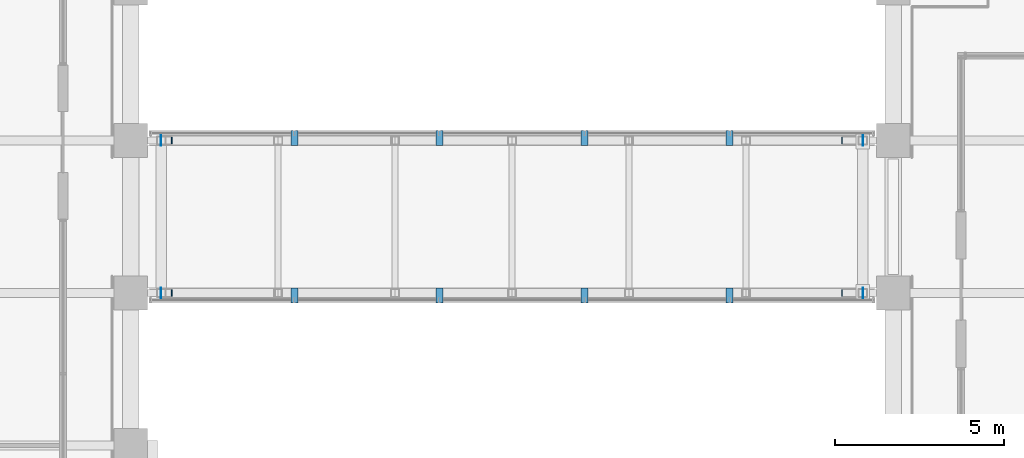
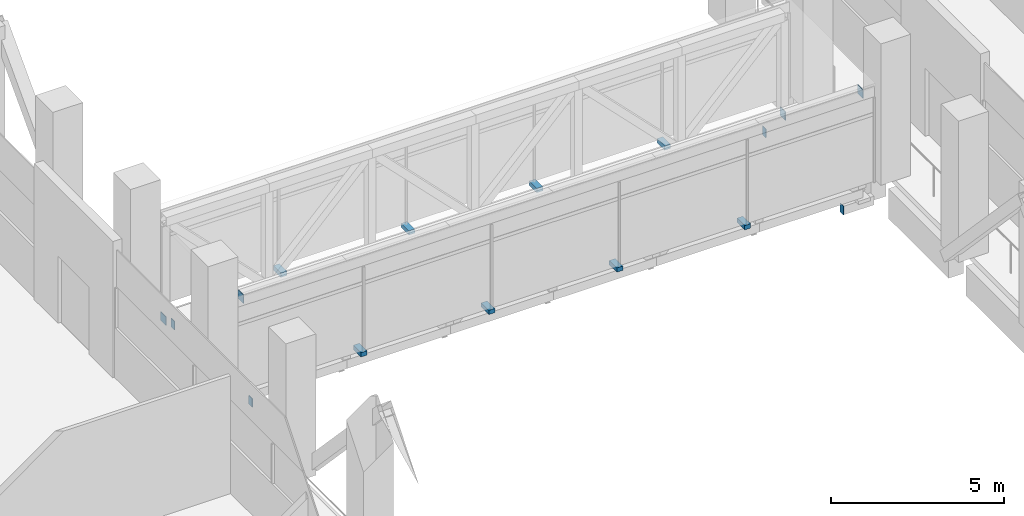
# One storey, part 45 of 48: 16 discrete accessories.
"""IFC4 building model written with IfcOpenShell, lengths in metres."""

from ifc_helpers import new_model, si_unit, direction, frame, origin, origin_2d, place, context, subcontext, project, spatial, rectangle, extrude, element, save


model = new_model("IFC4")

# Units and contexts
model_context = context("Model", 3, precision=1e-05, world=origin(), true_north=direction((0.0, 1.0)))
body_context = subcontext(model_context, "Body", "Model", "MODEL_VIEW")
ifc_project = project(units=[si_unit("LENGTHUNIT", "METRE"), si_unit("AREAUNIT", "SQUARE_METRE"), si_unit("VOLUMEUNIT", "CUBIC_METRE"), si_unit("PLANEANGLEUNIT", "RADIAN"), si_unit("MASSUNIT", "GRAM", prefix="KILO")], contexts=[model_context])

# Site, building, storey
site_placement = place(None, origin())
site = spatial("IfcSite", under=ifc_project, at=site_placement, CompositionType="ELEMENT")
building_placement = place(site_placement, origin())
building = spatial("IfcBuilding", under=site, at=building_placement, Name="Altepetl Exchange Towers", CompositionType="ELEMENT")
storey_placement = place(building_placement, frame((0.0, 0.0, 138.800048828125)))
storey = spatial("IfcBuildingStorey", under=building, at=storey_placement, Name="L34 Refuge and sky lobby", CompositionType="ELEMENT", Elevation=138.800048828125)

# Discrete accessories
discrete_accessory_1_placement = place(storey_placement, frame((72.889892578125, 45.0, 3.0), z_axis=(0.0, 0.0, 1.0), x_axis=(-1.0, 0.0, 0.0)))
element("IfcDiscreteAccessory", 1, at=discrete_accessory_1_placement, inside=storey, Name="End cap plate", ObjectType="END CAP PLATE", PredefinedType="USERDEFINED", context=body_context, shape_type="SweptSolid", body=[
    extrude(rectangle(XDim=0.02001953125, YDim=0.304931640625, at=origin_2d()), origin(), (0.0, 0.0, 1.0), 0.304931640625),
])
discrete_accessory_2_placement = place(storey_placement, frame((93.610107421875, 45.0, 3.0)))
element("IfcDiscreteAccessory", 2, at=discrete_accessory_2_placement, inside=storey, Name="End cap plate", ObjectType="END CAP PLATE", PredefinedType="USERDEFINED", context=body_context, shape_type="SweptSolid", body=[
    extrude(rectangle(XDim=0.02001953125, YDim=0.304931640625, at=origin_2d()), origin(), (0.0, 0.0, 1.0), 0.304931640625),
])
discrete_accessory_3_placement = place(storey_placement, frame((72.889892578125, 49.5, -0.5048828125), z_axis=(0.0, 0.0, 1.0), x_axis=(-1.0, 0.0, 0.0)))
element("IfcDiscreteAccessory", 3, at=discrete_accessory_3_placement, inside=storey, Name="End cap plate", ObjectType="END CAP PLATE", PredefinedType="USERDEFINED", context=body_context, shape_type="SweptSolid", body=[
    extrude(rectangle(XDim=0.02001953125, YDim=0.304931640625, at=origin_2d()), origin(), (0.0, 0.0, 1.0), 0.304931640625),
])
discrete_accessory_4_placement = place(storey_placement, frame((93.610107421875, 49.5, -0.5048828125)))
element("IfcDiscreteAccessory", 4, at=discrete_accessory_4_placement, inside=storey, Name="End cap plate", ObjectType="END CAP PLATE", PredefinedType="USERDEFINED", context=body_context, shape_type="SweptSolid", body=[
    extrude(rectangle(XDim=0.02001953125, YDim=0.304931640625, at=origin_2d()), origin(), (0.0, 0.0, 1.0), 0.304931640625),
])
for number, where, name in (
    (5, (73.2099609375, 45.0, -0.81005859375), "End cap plate"),
    (6, (73.2099609375, 49.5, -0.81005859375), "End cap plate"),
):
    element("IfcDiscreteAccessory", number, at=place(storey_placement, frame(where)), inside=storey, Name=name, ObjectType="END CAP PLATE", PredefinedType="USERDEFINED", context=body_context, shape_type="SweptSolid", body=[
        extrude(rectangle(XDim=0.02001953125, YDim=0.202880859375, at=origin_2d()), origin(), (0.0, 0.0, 1.0), 0.304931640625),
    ])
for number, where, z_axis, x_axis, name in (
    (7, (92.989990234375, 45.0, -0.93017578125), (0.0, 0.0, 1.0), (-1.0, 0.0, 0.0), "End cap plate"),
    (8, (92.989990234375, 49.5, -0.93017578125), (0.0, 0.0, 1.0), (-1.0, 0.0, 0.0), "End cap plate"),
):
    element("IfcDiscreteAccessory", number, at=place(storey_placement, frame(where, z_axis=z_axis, x_axis=x_axis)), inside=storey, Name=name, ObjectType="END CAP PLATE", PredefinedType="USERDEFINED", context=body_context, shape_type="SweptSolid", body=[
        extrude(rectangle(XDim=0.02001953125, YDim=0.202880859375, at=origin_2d()), origin(), (0.0, 0.0, 1.0), 0.304931640625),
    ])
for number, where, name in (
    (9, (76.830078125, 44.93115234375, -0.14990234375), "Glazing bracket"),
    (10, (81.110107421875, 44.93115234375, -0.14990234375), "Glazing bracket"),
    (11, (85.389892578125, 44.93115234375, -0.14990234375), "Glazing bracket"),
    (12, (89.669921875, 44.93115234375, -0.14990234375), "Glazing bracket"),
    (13, (76.830078125, 49.56884765625, -0.14990234375), "Glazing bracket"),
    (14, (81.110107421875, 49.56884765625, -0.14990234375), "Glazing bracket"),
    (15, (85.389892578125, 49.56884765625, -0.14990234375), "Glazing bracket"),
    (16, (89.669921875, 49.56884765625, -0.14990234375), "Glazing bracket"),
):
    element("IfcDiscreteAccessory", number, at=place(storey_placement, frame(where)), inside=storey, Name=name, PredefinedType="BRACKET", context=body_context, shape_type="SweptSolid", body=[
        extrude(rectangle(XDim=0.199951171875, YDim=0.4423828125, at=origin_2d()), origin(), (0.0, 0.0, 1.0), 0.14990234375),
    ])

save(model, "model.ifc")
